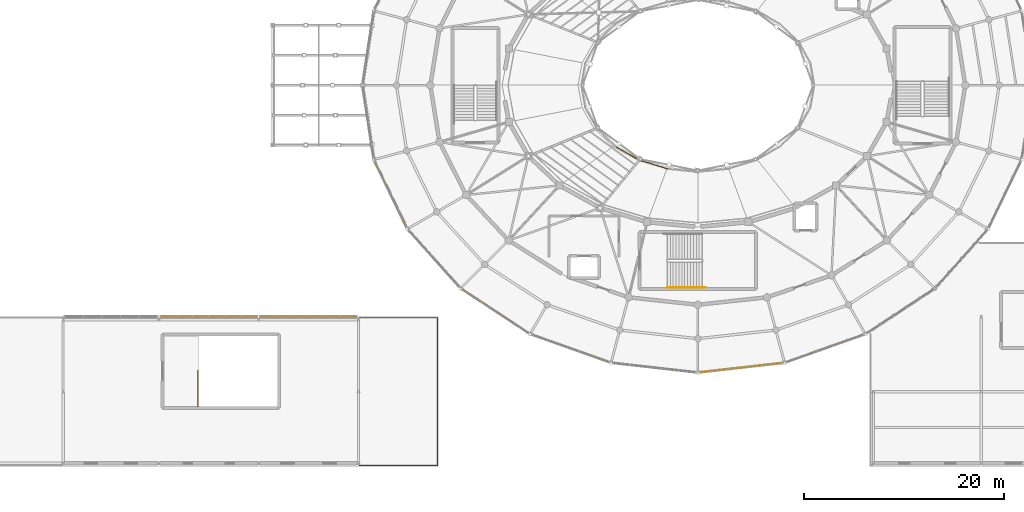
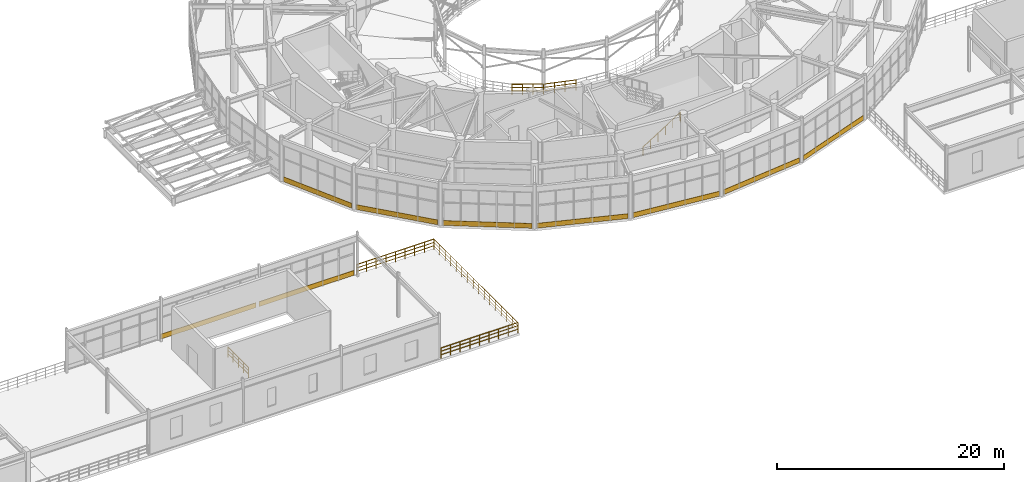
# One storey, part 133 of 144: 9 coverings, 7 railings.
"""IFC4 building model written with IfcOpenShell, lengths in metres."""

from ifc_helpers import new_model, si_unit, direction, frame, origin, origin_2d, place, context, subcontext, project, spatial, rectangle, circle, extrude, material, layer, layer_set, type_object, element, save


model = new_model("IFC4")

# Units and contexts
model_context = context("Model", 3, precision=1e-05, world=origin(), true_north=direction((0.0, 1.0)))
body_context = subcontext(model_context, "Body", "Model", "MODEL_VIEW")
ifc_project = project(units=[si_unit("LENGTHUNIT", "METRE"), si_unit("AREAUNIT", "SQUARE_METRE"), si_unit("VOLUMEUNIT", "CUBIC_METRE"), si_unit("PLANEANGLEUNIT", "RADIAN"), si_unit("MASSUNIT", "GRAM", prefix="KILO")], contexts=[model_context])

# Site, building, storey
site_placement = place(None, origin())
site = spatial("IfcSite", under=ifc_project, at=site_placement, CompositionType="ELEMENT")
building_placement = place(site_placement, origin())
building = spatial("IfcBuilding", under=site, at=building_placement, Name="Cinderbank Siding Concert Hall", CompositionType="ELEMENT")
storey_placement = place(building_placement, frame((0.0, 0.0, 5.39990234375)))
storey = spatial("IfcBuildingStorey", under=building, at=storey_placement, Name="L02", CompositionType="ELEMENT", Elevation=5.39990234375)

# Railings
ifc_material_1 = material(Name="Spotted gum glulam timber GL18 (42 MPa)", Category="wood")
railing_type_1 = type_object("IfcRailingType", Name="BAL-01 Auditorium Tier Balustrade 1120mm", PredefinedType="BALUSTRADE", material=ifc_material_1)
railing_1_placement = place(storey_placement, frame((113.740966796875, 37.8623046875, 0.0)))
element("IfcRailing", 1, at=railing_1_placement, inside=storey, type_object=railing_type_1, Name="L02 Auditorium Circle Balustrade 16", PredefinedType="BALUSTRADE", context=body_context, shape_type="SweptSolid", body=[
    extrude(circle(Radius=0.02392578125, at=origin_2d()), frame((0.0, 0.0, 1.09619140625), z_axis=(0.868685219128, -0.495364502228, 0.0), x_axis=(0.495364502228, 0.868685219128, 0.0)), (0.0, 0.0, 1.0), 2.78466796875),
    extrude(circle(Radius=0.01611328125, at=origin_2d()), frame((0.0, 0.0, 0.36962890625), z_axis=(0.868685219128, -0.495364502228, 0.0), x_axis=(0.495364502228, 0.868685219128, 0.0)), (0.0, 0.0, 1.0), 2.78466796875),
    extrude(circle(Radius=0.01611328125, at=origin_2d()), frame((0.0, 0.0, 0.7392578125), z_axis=(0.868685219128, -0.495364502228, 0.0), x_axis=(0.495364502228, 0.868685219128, 0.0)), (0.0, 0.0, 1.0), 2.78466796875),
    extrude(circle(Radius=0.02099609375, at=origin_2d()), origin(), (0.0, 0.0, 1.0), 1.072021484375),
    extrude(circle(Radius=0.02099609375, at=origin_2d()), frame((0.806396484375, -0.459716796875, 0.0)), (0.0, 0.0, 1.0), 1.072021484375),
    extrude(circle(Radius=0.02099609375, at=origin_2d()), frame((1.612548828125, -0.919677734375, 0.0)), (0.0, 0.0, 1.0), 1.072021484375),
    extrude(circle(Radius=0.02099609375, at=origin_2d()), frame((2.4189453125, -1.37939453125, 0.0)), (0.0, 0.0, 1.0), 1.072021484375),
])
railing_2_placement = place(storey_placement, frame((116.159912109375, 36.48291015625, 0.0)))
element("IfcRailing", 2, at=railing_2_placement, inside=storey, type_object=railing_type_1, Name="L02 Auditorium Circle Balustrade 17", PredefinedType="BALUSTRADE", context=body_context, shape_type="SweptSolid", body=[
    extrude(circle(Radius=0.02392578125, at=origin_2d()), frame((0.0, 0.0, 1.09619140625), z_axis=(0.955743184461, -0.294202252466, 0.0), x_axis=(0.294202252466, 0.955743184461, 0.0)), (0.0, 0.0, 1.0), 2.947509765625),
    extrude(circle(Radius=0.01611328125, at=origin_2d()), frame((0.0, 0.0, 0.36962890625), z_axis=(0.955743184461, -0.294202252466, 0.0), x_axis=(0.294202252466, 0.955743184461, 0.0)), (0.0, 0.0, 1.0), 2.947509765625),
    extrude(circle(Radius=0.01611328125, at=origin_2d()), frame((0.0, 0.0, 0.7392578125), z_axis=(0.955743184461, -0.294202252466, 0.0), x_axis=(0.294202252466, 0.955743184461, 0.0)), (0.0, 0.0, 1.0), 2.947509765625),
    extrude(circle(Radius=0.02099609375, at=origin_2d()), origin(), (0.0, 0.0, 1.0), 1.072021484375),
    extrude(circle(Radius=0.02099609375, at=origin_2d()), frame((0.93896484375, -0.2890625, 0.0)), (0.0, 0.0, 1.0), 1.072021484375),
    extrude(circle(Radius=0.02099609375, at=origin_2d()), frame((1.878173828125, -0.578125, 0.0)), (0.0, 0.0, 1.0), 1.072021484375),
    extrude(circle(Radius=0.02099609375, at=origin_2d()), frame((2.817138671875, -0.8671875, 0.0)), (0.0, 0.0, 1.0), 1.072021484375),
])

# Coverings
ifc_layer = layer(ifc_material_1, 0.06494140625)
ifc_layer_set = layer_set([ifc_layer], Name="Spotted gum glulam timber GL18 (42 MPa)")
covering_type = type_object("IfcCoveringType", Name="CL-01 Spotted Gum Spandrel Band 520mm", PredefinedType="CLADDING", material=ifc_layer_set)
covering_1_placement = place(storey_placement, frame((91.22314453125, 33.072998046875, 0.0), z_axis=(0.0, 0.0, 1.0), x_axis=(0.435102109714, -0.900381116041, 0.0)))
element("IfcCovering", 3, at=covering_1_placement, inside=storey, type_object=covering_type, Name="CW-L02-014 Spotted Gum Spandrel Band", PredefinedType="CLADDING", context=body_context, shape_type="SweptSolid", body=[
    extrude(rectangle(XDim=7.260498046875, YDim=0.06494140625, at=origin_2d()), origin(), (0.0, 0.0, 1.0), 0.52001953125),
])
covering_2_placement = place(storey_placement, frame((95.5712890625, 26.61767578125, 0.0), z_axis=(0.0, 0.0, 1.0), x_axis=(0.666993465338, -0.745063565877, 0.0)))
element("IfcCovering", 4, at=covering_2_placement, inside=storey, type_object=covering_type, Name="CW-L02-015 Spotted Gum Spandrel Band", PredefinedType="CLADDING", context=body_context, shape_type="SweptSolid", body=[
    extrude(rectangle(XDim=7.5517578125, YDim=0.06494140625, at=origin_2d()), origin(), (0.0, 0.0, 1.0), 0.52001953125),
])
covering_3_placement = place(storey_placement, frame((101.720703125, 21.346923828125, 0.0), z_axis=(0.0, 0.0, 1.0), x_axis=(0.835491932304, -0.549502712509, 0.0)))
element("IfcCovering", 5, at=covering_3_placement, inside=storey, type_object=covering_type, Name="CW-L02-016 Spotted Gum Spandrel Band", PredefinedType="CLADDING", context=body_context, shape_type="SweptSolid", body=[
    extrude(rectangle(XDim=7.875, YDim=0.06494140625, at=origin_2d()), origin(), (0.0, 0.0, 1.0), 0.52001953125),
])
covering_4_placement = place(storey_placement, frame((109.251953125, 17.619873046875, 0.0), z_axis=(0.0, 0.0, 1.0), x_axis=(0.942365662238, -0.334584755532, 0.0)))
element("IfcCovering", 6, at=covering_4_placement, inside=storey, type_object=covering_type, Name="CW-L02-017 Spotted Gum Spandrel Band", PredefinedType="CLADDING", context=body_context, shape_type="SweptSolid", body=[
    extrude(rectangle(XDim=8.1455078125, YDim=0.06494140625, at=origin_2d()), origin(), (0.0, 0.0, 1.0), 0.52001953125),
])
for number, where, z_axis, x_axis, name in (
    (7, (117.65185546875, 15.690673828125, 0.0), (0.0, 0.0, 1.0), (0.993693605349, -0.112129472879, 0.0), "CW-L02-018 Spotted Gum Spandrel Band"),
    (8, (126.34814453125, 15.690673828125, 0.0), (0.0, 0.0, 1.0), (0.993693605349, 0.112129472879, 0.0), "CW-L02-019 Spotted Gum Spandrel Band"),
):
    element("IfcCovering", number, at=place(storey_placement, frame(where, z_axis=z_axis, x_axis=x_axis)), inside=storey, type_object=covering_type, Name=name, PredefinedType="CLADDING", context=body_context, shape_type="SweptSolid", body=[
        extrude(rectangle(XDim=8.297607421875, YDim=0.06494140625, at=origin_2d()), origin(), (0.0, 0.0, 1.0), 0.52001953125),
    ])
covering_5_placement = place(storey_placement, frame((134.748291015625, 17.619873046875, 0.0), z_axis=(0.0, 0.0, 1.0), x_axis=(0.942365662238, 0.334584755532, 0.0)))
element("IfcCovering", 9, at=covering_5_placement, inside=storey, type_object=covering_type, Name="CW-L02-020 Spotted Gum Spandrel Band", PredefinedType="CLADDING", context=body_context, shape_type="SweptSolid", body=[
    extrude(rectangle(XDim=8.1455078125, YDim=0.06494140625, at=origin_2d()), origin(), (0.0, 0.0, 1.0), 0.52001953125),
])
for number, where, z_axis, x_axis, name in (
    (10, (73.0, 20.800048828125, 0.0), (0.0, 0.0, 1.0), (1.0, 0.0, 0.0), "CW-L02-142 Spotted Gum Spandrel Band"),
    (11, (83.0, 20.800048828125, 0.0), (0.0, 0.0, 1.0), (1.0, 0.0, 0.0), "CW-L02-143 Spotted Gum Spandrel Band"),
):
    element("IfcCovering", number, at=place(storey_placement, frame(where, z_axis=z_axis, x_axis=x_axis)), inside=storey, type_object=covering_type, Name=name, PredefinedType="CLADDING", context=body_context, shape_type="SweptSolid", body=[
        extrude(rectangle(XDim=9.6650390625, YDim=0.06494140625, at=origin_2d()), origin(), (0.0, 0.0, 1.0), 0.52001953125),
    ])

# Railings
ifc_material_2 = material(Name="Structural steel AS/NZS 3679.1 Grade 350 (340 MPa)", Category="steel")
railing_type_2 = type_object("IfcRailingType", Name="GD-01 Terrace & Perimeter Guardrail 1120mm", PredefinedType="GUARDRAIL", material=ifc_material_2)
railing_3_placement = place(storey_placement, frame((88.072509765625, 20.699951171875, 0.0)))
element("IfcRailing", 12, at=railing_3_placement, inside=storey, type_object=railing_type_2, Name="L02 Perimeter Guardrail #55", PredefinedType="GUARDRAIL", context=body_context, shape_type="SweptSolid", body=[
    extrude(circle(Radius=0.02392578125, at=origin_2d()), frame((0.0, 0.0, 1.09619140625), z_axis=(1.0, 0.0, 0.0), x_axis=(0.0, 1.0, 0.0)), (0.0, 0.0, 1.0), 7.827392578125),
    extrude(circle(Radius=0.01611328125, at=origin_2d()), frame((0.0, 0.0, 0.36962890625), z_axis=(1.0, 0.0, 0.0), x_axis=(0.0, 1.0, 0.0)), (0.0, 0.0, 1.0), 7.827392578125),
    extrude(circle(Radius=0.01611328125, at=origin_2d()), frame((0.0, 0.0, 0.7392578125), z_axis=(1.0, 0.0, 0.0), x_axis=(0.0, 1.0, 0.0)), (0.0, 0.0, 1.0), 7.827392578125),
    extrude(circle(Radius=0.02099609375, at=origin_2d()), origin(), (0.0, 0.0, 1.0), 1.072021484375),
    extrude(circle(Radius=0.02099609375, at=origin_2d()), frame((0.978515625, 0.0, 0.0)), (0.0, 0.0, 1.0), 1.072021484375),
    extrude(circle(Radius=0.02099609375, at=origin_2d()), frame((1.956787109375, 0.0, 0.0)), (0.0, 0.0, 1.0), 1.072021484375),
    extrude(circle(Radius=0.02099609375, at=origin_2d()), frame((2.935302734375, 0.0, 0.0)), (0.0, 0.0, 1.0), 1.072021484375),
    extrude(circle(Radius=0.02099609375, at=origin_2d()), frame((3.91357421875, 0.0, 0.0)), (0.0, 0.0, 1.0), 1.072021484375),
    extrude(circle(Radius=0.02099609375, at=origin_2d()), frame((4.89208984375, 0.0, 0.0)), (0.0, 0.0, 1.0), 1.072021484375),
    extrude(circle(Radius=0.02099609375, at=origin_2d()), frame((5.87060546875, 0.0, 0.0)), (0.0, 0.0, 1.0), 1.072021484375),
    extrude(circle(Radius=0.02099609375, at=origin_2d()), frame((6.848876953125, 0.0, 0.0)), (0.0, 0.0, 1.0), 1.072021484375),
    extrude(circle(Radius=0.02099609375, at=origin_2d()), frame((7.827392578125, 0.0, 0.0)), (0.0, 0.0, 1.0), 1.072021484375),
])
railing_4_placement = place(storey_placement, frame((95.89990234375, 20.699951171875, 0.0)))
element("IfcRailing", 13, at=railing_4_placement, inside=storey, type_object=railing_type_2, Name="L02 Perimeter Guardrail #56", PredefinedType="GUARDRAIL", context=body_context, shape_type="SweptSolid", body=[
    extrude(circle(Radius=0.02392578125, at=origin_2d()), frame((0.0, 0.0, 1.09619140625), z_axis=(0.0, -1.0, 0.0), x_axis=(1.0, 0.0, 0.0)), (0.0, 0.0, 1.0), 14.800048828125),
    extrude(circle(Radius=0.01611328125, at=origin_2d()), frame((0.0, 0.0, 0.36962890625), z_axis=(0.0, -1.0, 0.0), x_axis=(1.0, 0.0, 0.0)), (0.0, 0.0, 1.0), 14.800048828125),
    extrude(circle(Radius=0.01611328125, at=origin_2d()), frame((0.0, 0.0, 0.7392578125), z_axis=(0.0, -1.0, 0.0), x_axis=(1.0, 0.0, 0.0)), (0.0, 0.0, 1.0), 14.800048828125),
    extrude(circle(Radius=0.02099609375, at=origin_2d()), origin(), (0.0, 0.0, 1.0), 1.072021484375),
    extrude(circle(Radius=0.02099609375, at=origin_2d()), frame((0.0, -0.986572265625, 0.0)), (0.0, 0.0, 1.0), 1.072021484375),
    extrude(circle(Radius=0.02099609375, at=origin_2d()), frame((0.0, -1.973388671875, 0.0)), (0.0, 0.0, 1.0), 1.072021484375),
    extrude(circle(Radius=0.02099609375, at=origin_2d()), frame((0.0, -2.9599609375, 0.0)), (0.0, 0.0, 1.0), 1.072021484375),
    extrude(circle(Radius=0.02099609375, at=origin_2d()), frame((0.0, -3.94677734375, 0.0)), (0.0, 0.0, 1.0), 1.072021484375),
    extrude(circle(Radius=0.02099609375, at=origin_2d()), frame((0.0, -4.933349609375, 0.0)), (0.0, 0.0, 1.0), 1.072021484375),
    extrude(circle(Radius=0.02099609375, at=origin_2d()), frame((0.0, -5.919921875, 0.0)), (0.0, 0.0, 1.0), 1.072021484375),
    extrude(circle(Radius=0.02099609375, at=origin_2d()), frame((0.0, -6.90673828125, 0.0)), (0.0, 0.0, 1.0), 1.072021484375),
    extrude(circle(Radius=0.02099609375, at=origin_2d()), frame((0.0, -7.893310546875, 0.0)), (0.0, 0.0, 1.0), 1.072021484375),
    extrude(circle(Radius=0.02099609375, at=origin_2d()), frame((0.0, -8.880126953125, 0.0)), (0.0, 0.0, 1.0), 1.072021484375),
    extrude(circle(Radius=0.02099609375, at=origin_2d()), frame((0.0, -9.86669921875, 0.0)), (0.0, 0.0, 1.0), 1.072021484375),
    extrude(circle(Radius=0.02099609375, at=origin_2d()), frame((0.0, -10.853271484375, 0.0)), (0.0, 0.0, 1.0), 1.072021484375),
    extrude(circle(Radius=0.02099609375, at=origin_2d()), frame((0.0, -11.840087890625, 0.0)), (0.0, 0.0, 1.0), 1.072021484375),
    extrude(circle(Radius=0.02099609375, at=origin_2d()), frame((0.0, -12.82666015625, 0.0)), (0.0, 0.0, 1.0), 1.072021484375),
    extrude(circle(Radius=0.02099609375, at=origin_2d()), frame((0.0, -13.8134765625, 0.0)), (0.0, 0.0, 1.0), 1.072021484375),
    extrude(circle(Radius=0.02099609375, at=origin_2d()), frame((0.0, -14.800048828125, 0.0)), (0.0, 0.0, 1.0), 1.072021484375),
])
railing_5_placement = place(storey_placement, frame((95.89990234375, 5.89990234375, 0.0)))
element("IfcRailing", 14, at=railing_5_placement, inside=storey, type_object=railing_type_2, Name="L02 Perimeter Guardrail #57", PredefinedType="GUARDRAIL", context=body_context, shape_type="SweptSolid", body=[
    extrude(circle(Radius=0.02392578125, at=origin_2d()), frame((0.0, 0.0, 1.09619140625), z_axis=(-1.0, 0.0, 0.0), x_axis=(0.0, -1.0, 0.0)), (0.0, 0.0, 1.0), 7.8212890625),
    extrude(circle(Radius=0.01611328125, at=origin_2d()), frame((0.0, 0.0, 0.36962890625), z_axis=(-1.0, 0.0, 0.0), x_axis=(0.0, -1.0, 0.0)), (0.0, 0.0, 1.0), 7.8212890625),
    extrude(circle(Radius=0.01611328125, at=origin_2d()), frame((0.0, 0.0, 0.7392578125), z_axis=(-1.0, 0.0, 0.0), x_axis=(0.0, -1.0, 0.0)), (0.0, 0.0, 1.0), 7.8212890625),
    extrude(circle(Radius=0.02099609375, at=origin_2d()), origin(), (0.0, 0.0, 1.0), 1.072021484375),
    extrude(circle(Radius=0.02099609375, at=origin_2d()), frame((-0.9775390625, 0.0, 0.0)), (0.0, 0.0, 1.0), 1.072021484375),
    extrude(circle(Radius=0.02099609375, at=origin_2d()), frame((-1.955322265625, 0.0, 0.0)), (0.0, 0.0, 1.0), 1.072021484375),
    extrude(circle(Radius=0.02099609375, at=origin_2d()), frame((-2.93310546875, 0.0, 0.0)), (0.0, 0.0, 1.0), 1.072021484375),
    extrude(circle(Radius=0.02099609375, at=origin_2d()), frame((-3.91064453125, 0.0, 0.0)), (0.0, 0.0, 1.0), 1.072021484375),
    extrude(circle(Radius=0.02099609375, at=origin_2d()), frame((-4.88818359375, 0.0, 0.0)), (0.0, 0.0, 1.0), 1.072021484375),
    extrude(circle(Radius=0.02099609375, at=origin_2d()), frame((-5.865966796875, 0.0, 0.0)), (0.0, 0.0, 1.0), 1.072021484375),
    extrude(circle(Radius=0.02099609375, at=origin_2d()), frame((-6.84375, 0.0, 0.0)), (0.0, 0.0, 1.0), 1.072021484375),
    extrude(circle(Radius=0.02099609375, at=origin_2d()), frame((-7.8212890625, 0.0, 0.0)), (0.0, 0.0, 1.0), 1.072021484375),
])
railing_type_3 = type_object("IfcRailingType", Name="STG-01 Stair Well Guardrail 1120mm", PredefinedType="GUARDRAIL", material=ifc_material_2)
railing_6_placement = place(storey_placement, frame((71.89990234375, 11.800048828125, 0.0)))
element("IfcRailing", 15, at=railing_6_placement, inside=storey, type_object=railing_type_3, Name="L02 ST-08 top well guard 1", PredefinedType="GUARDRAIL", context=body_context, shape_type="SweptSolid", body=[
    extrude(circle(Radius=0.02392578125, at=origin_2d()), frame((0.0, 0.0, 1.09619140625), z_axis=(0.0, 1.0, 0.0), x_axis=(-1.0, 0.0, 0.0)), (0.0, 0.0, 1.0), 3.60986328125),
    extrude(circle(Radius=0.01611328125, at=origin_2d()), frame((0.0, 0.0, 0.36962890625), z_axis=(0.0, 1.0, 0.0), x_axis=(-1.0, 0.0, 0.0)), (0.0, 0.0, 1.0), 3.60986328125),
    extrude(circle(Radius=0.01611328125, at=origin_2d()), frame((0.0, 0.0, 0.7392578125), z_axis=(0.0, 1.0, 0.0), x_axis=(-1.0, 0.0, 0.0)), (0.0, 0.0, 1.0), 3.60986328125),
    extrude(circle(Radius=0.02099609375, at=origin_2d()), origin(), (0.0, 0.0, 1.0), 1.072021484375),
    extrude(circle(Radius=0.02099609375, at=origin_2d()), frame((0.0, 0.90234375, 0.0)), (0.0, 0.0, 1.0), 1.072021484375),
    extrude(circle(Radius=0.02099609375, at=origin_2d()), frame((0.0, 1.804931640625, 0.0)), (0.0, 0.0, 1.0), 1.072021484375),
    extrude(circle(Radius=0.02099609375, at=origin_2d()), frame((0.0, 2.70751953125, 0.0)), (0.0, 0.0, 1.0), 1.072021484375),
    extrude(circle(Radius=0.02099609375, at=origin_2d()), frame((0.0, 3.60986328125, 0.0)), (0.0, 0.0, 1.0), 1.072021484375),
])
railing_type_4 = type_object("IfcRailingType", Name="STH-01 Stair Pitch Handrail 920mm", PredefinedType="HANDRAIL", material=ifc_material_2)
railing_7_placement = place(storey_placement, frame((118.949951171875, 23.75, 0.184814453125)))
element("IfcRailing", 16, at=railing_7_placement, inside=storey, type_object=railing_type_4, Name="L02 ST-02 stair handrail 1", PredefinedType="HANDRAIL", context=body_context, shape_type="SweptSolid", body=[
    extrude(circle(Radius=0.02392578125, at=origin_2d()), frame((0.0, 0.0, 0.89599609375), z_axis=(0.843580498726, 0.0, 0.537002739443), x_axis=(0.0, 1.0, 0.0)), (0.0, 0.0, 1.0), 4.468994140625),
    extrude(circle(Radius=0.02392578125, at=origin_2d()), frame((3.77001953125, 0.0, 3.2958984375), z_axis=(1.0, 0.0, 0.0), x_axis=(0.0, 1.0, 0.0)), (0.0, 0.0, 1.0), 0.06005859375),
    extrude(circle(Radius=0.02099609375, at=origin_2d()), origin(), (0.0, 0.0, 1.0), 0.871826171875),
    extrude(circle(Radius=0.02099609375, at=origin_2d()), frame((0.75390625, 0.0, 0.47998046875)), (0.0, 0.0, 1.0), 0.871826171875),
    extrude(circle(Radius=0.02099609375, at=origin_2d()), frame((1.508056640625, 0.0, 0.9599609375)), (0.0, 0.0, 1.0), 0.871826171875),
    extrude(circle(Radius=0.02099609375, at=origin_2d()), frame((2.261962890625, 0.0, 1.43994140625)), (0.0, 0.0, 1.0), 0.871826171875),
    extrude(circle(Radius=0.02099609375, at=origin_2d()), frame((3.01611328125, 0.0, 1.919921875)), (0.0, 0.0, 1.0), 0.871826171875),
    extrude(circle(Radius=0.02099609375, at=origin_2d()), frame((3.77001953125, 0.0, 2.39990234375)), (0.0, 0.0, 1.0), 0.871826171875),
    extrude(circle(Radius=0.02099609375, at=origin_2d()), frame((3.830078125, 0.0, 2.21533203125)), (0.0, 0.0, 1.0), 1.056396484375),
])

save(model, "model.ifc")
